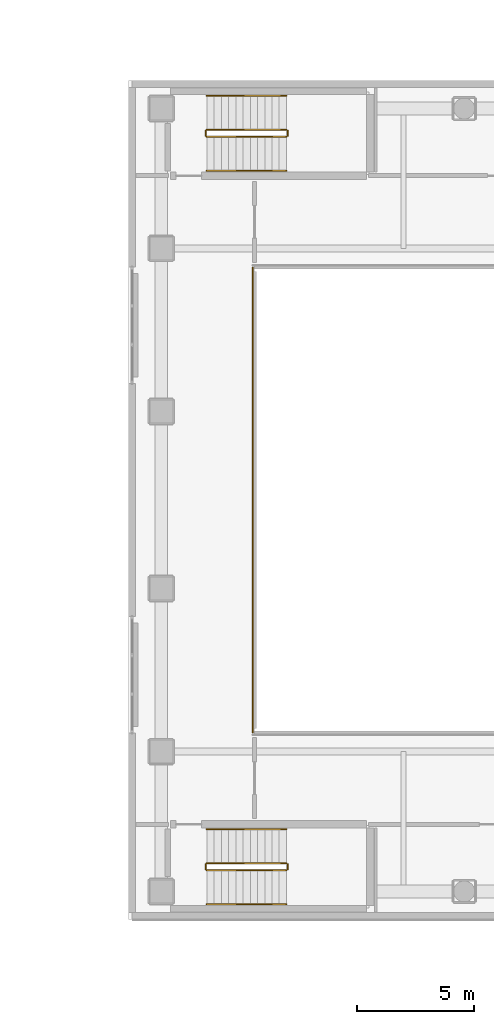
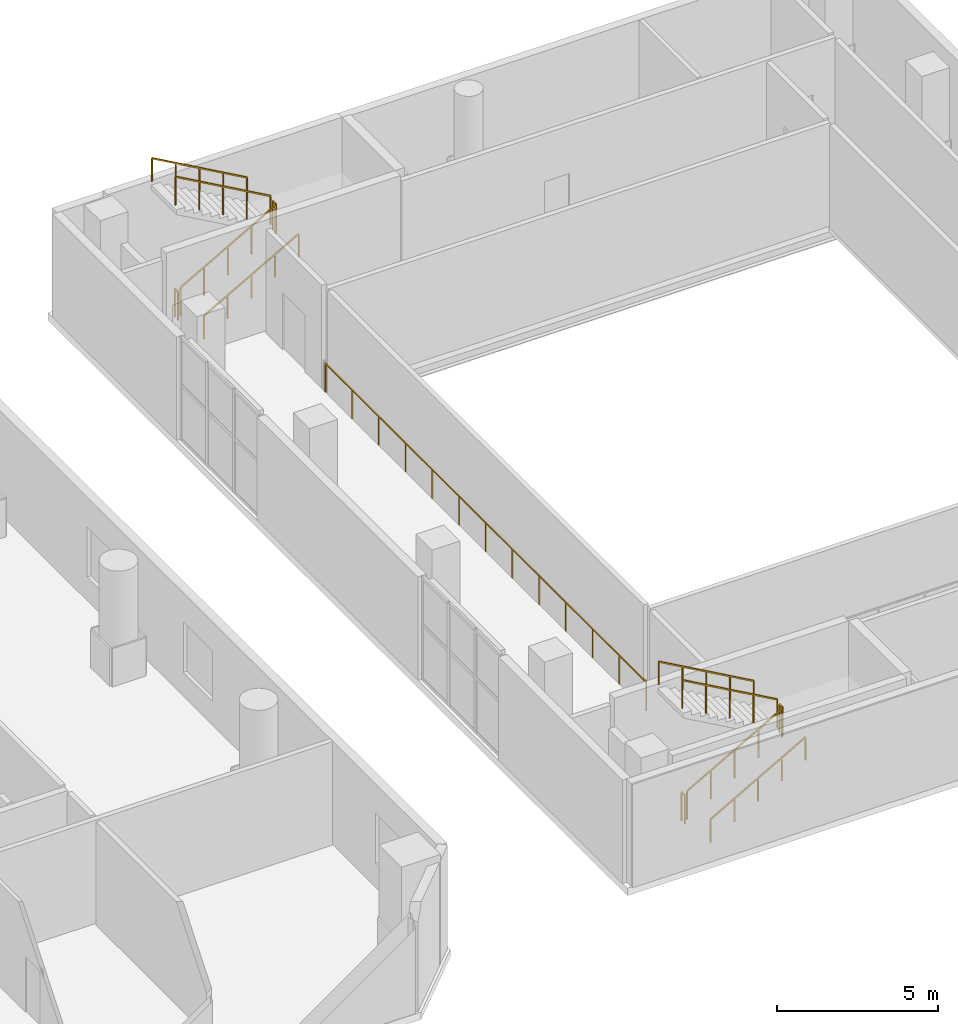
# One storey, part 23 of 24: 13 railings.
"""IFC4 building model written with IfcOpenShell, lengths in metres."""

from ifc_helpers import new_model, si_unit, direction, frame, origin, origin_2d, place, context, subcontext, project, spatial, rectangle, extrude, material, type_object, element, save


model = new_model("IFC4")

# Units and contexts
model_context = context("Model", 3, precision=1e-05, world=origin(), true_north=direction((0.0, 1.0)))
body_context = subcontext(model_context, "Body", "Model", "MODEL_VIEW")
ifc_project = project(units=[si_unit("LENGTHUNIT", "METRE"), si_unit("AREAUNIT", "SQUARE_METRE"), si_unit("VOLUMEUNIT", "CUBIC_METRE"), si_unit("PLANEANGLEUNIT", "RADIAN"), si_unit("MASSUNIT", "GRAM", prefix="KILO")], contexts=[model_context])

# Site, building, storey
site_placement = place(None, origin())
site = spatial("IfcSite", under=ifc_project, at=site_placement, CompositionType="ELEMENT")
building_placement = place(site_placement, origin())
building = spatial("IfcBuilding", under=site, at=building_placement, Name="Solanera Arch Residences", CompositionType="ELEMENT")
storey_placement = place(building_placement, frame((0.0, 0.0, 5.199951171875)))
storey = spatial("IfcBuildingStorey", under=building, at=storey_placement, Name="L01", CompositionType="ELEMENT", Elevation=5.199951171875)

# Railings
ifc_material_1 = material(Name="Steel S355 (ASTM A992 / A572 Grade 50)", Category="steel")
railing_type_1 = type_object("IfcRailingType", Name="Balustrade Railing BL-1100", PredefinedType="BALUSTRADE", material=ifc_material_1)
railing_1_placement = place(storey_placement, frame((59.719970703125, 40.56005859375, 0.0)))
element("IfcRailing", 1, at=railing_1_placement, inside=storey, type_object=railing_type_1, Name="L01 Sports Hall Court Void Guardrail W 1", PredefinedType="BALUSTRADE", context=body_context, shape_type="SweptSolid", body=[
    extrude(rectangle(XDim=0.048095703125, YDim=0.048095703125, at=origin_2d()), frame((0.0, 0.0, 1.09619140625), z_axis=(0.0, -1.0, 0.0), x_axis=(1.0, 0.0, 0.0)), (0.0, 0.0, 1.0), 19.920166015625),
    extrude(rectangle(XDim=0.0419921875, YDim=0.0419921875, at=origin_2d()), origin(), (0.0, 0.0, 1.0), 1.072021484375),
    extrude(rectangle(XDim=0.0419921875, YDim=0.0419921875, at=origin_2d()), frame((0.0, -1.659912109375, 0.0)), (0.0, 0.0, 1.0), 1.072021484375),
    extrude(rectangle(XDim=0.0419921875, YDim=0.0419921875, at=origin_2d()), frame((0.0, -3.320068359375, 0.0)), (0.0, 0.0, 1.0), 1.072021484375),
    extrude(rectangle(XDim=0.0419921875, YDim=0.0419921875, at=origin_2d()), frame((0.0, -4.97998046875, 0.0)), (0.0, 0.0, 1.0), 1.072021484375),
    extrude(rectangle(XDim=0.0419921875, YDim=0.0419921875, at=origin_2d()), frame((0.0, -6.64013671875, 0.0)), (0.0, 0.0, 1.0), 1.072021484375),
    extrude(rectangle(XDim=0.0419921875, YDim=0.0419921875, at=origin_2d()), frame((0.0, -8.300048828125, 0.0)), (0.0, 0.0, 1.0), 1.072021484375),
    extrude(rectangle(XDim=0.0419921875, YDim=0.0419921875, at=origin_2d()), frame((0.0, -9.9599609375, 0.0)), (0.0, 0.0, 1.0), 1.072021484375),
    extrude(rectangle(XDim=0.0419921875, YDim=0.0419921875, at=origin_2d()), frame((0.0, -11.6201171875, 0.0)), (0.0, 0.0, 1.0), 1.072021484375),
    extrude(rectangle(XDim=0.0419921875, YDim=0.0419921875, at=origin_2d()), frame((0.0, -13.280029296875, 0.0)), (0.0, 0.0, 1.0), 1.072021484375),
    extrude(rectangle(XDim=0.0419921875, YDim=0.0419921875, at=origin_2d()), frame((0.0, -14.940185546875, 0.0)), (0.0, 0.0, 1.0), 1.072021484375),
    extrude(rectangle(XDim=0.0419921875, YDim=0.0419921875, at=origin_2d()), frame((0.0, -16.60009765625, 0.0)), (0.0, 0.0, 1.0), 1.072021484375),
    extrude(rectangle(XDim=0.0419921875, YDim=0.0419921875, at=origin_2d()), frame((0.0, -18.26025390625, 0.0)), (0.0, 0.0, 1.0), 1.072021484375),
    extrude(rectangle(XDim=0.0419921875, YDim=0.0419921875, at=origin_2d()), frame((0.0, -19.920166015625, 0.0)), (0.0, 0.0, 1.0), 1.072021484375),
])
ifc_material_2 = material(Name="Steel S355 (ASTM A992 / A572 Grade 50)", Category="steel")
railing_type_2 = type_object("IfcRailingType", Name="Stair Guardrail GR-1100", PredefinedType="GUARDRAIL", material=ifc_material_2)
railing_2_placement = place(storey_placement, frame((57.760009765625, 14.7099609375, 0.16015625)))
element("IfcRailing", 2, at=railing_2_placement, inside=storey, type_object=railing_type_2, Name="L01 ST-H1 stair guard 1", PredefinedType="GUARDRAIL", context=body_context, shape_type="SweptSolid", body=[
    extrude(rectangle(XDim=0.048095703125, YDim=0.048095703125, at=origin_2d()), frame((0.0, 0.0, 1.076171875), z_axis=(0.870840237431, 0.0, 0.491566151064), x_axis=(0.0, 1.0, 0.0)), (0.0, 0.0, 1.0), 3.915771484375),
    extrude(rectangle(XDim=0.0419921875, YDim=0.0419921875, at=origin_2d()), origin(), (0.0, 0.0, 1.0), 1.052001953125),
    extrude(rectangle(XDim=0.0419921875, YDim=0.0419921875, at=origin_2d()), frame((0.8525390625, 0.0, 0.481201171875)), (0.0, 0.0, 1.0), 1.052001953125),
    extrude(rectangle(XDim=0.0419921875, YDim=0.0419921875, at=origin_2d()), frame((1.705078125, 0.0, 0.96240234375)), (0.0, 0.0, 1.0), 1.052001953125),
    extrude(rectangle(XDim=0.0419921875, YDim=0.0419921875, at=origin_2d()), frame((2.557373046875, 0.0, 1.443603515625)), (0.0, 0.0, 1.0), 1.052001953125),
    extrude(rectangle(XDim=0.0419921875, YDim=0.0419921875, at=origin_2d()), frame((3.409912109375, 0.0, 1.9248046875)), (0.0, 0.0, 1.0), 1.052001953125),
])
railing_3_placement = place(storey_placement, frame((61.219970703125, 14.760009765625, 2.0849609375)))
element("IfcRailing", 3, at=railing_3_placement, inside=storey, type_object=railing_type_2, Name="L01 ST-H1 stair guard 2", PredefinedType="GUARDRAIL", context=body_context, shape_type="SweptSolid", body=[
    extrude(rectangle(XDim=0.048095703125, YDim=0.048095703125, at=origin_2d()), frame((0.0, 0.0, 1.076171875), z_axis=(0.0, 1.0, 0.0), x_axis=(-1.0, 0.0, 0.0)), (0.0, 0.0, 1.0), 0.199951171875),
    extrude(rectangle(XDim=0.0419921875, YDim=0.0419921875, at=origin_2d()), origin(), (0.0, 0.0, 1.0), 1.052001953125),
    extrude(rectangle(XDim=0.0419921875, YDim=0.0419921875, at=origin_2d()), frame((0.0, 0.199951171875, 0.0)), (0.0, 0.0, 1.0), 1.052001953125),
])
railing_4_placement = place(storey_placement, frame((61.169921875, 15.010009765625, 2.260009765625)))
element("IfcRailing", 4, at=railing_4_placement, inside=storey, type_object=railing_type_2, Name="L01 ST-H1 stair guard 3", PredefinedType="GUARDRAIL", context=body_context, shape_type="SweptSolid", body=[
    extrude(rectangle(XDim=0.048095703125, YDim=0.048095703125, at=origin_2d()), frame((0.0, 0.0, 1.076171875), z_axis=(-0.87081354652, 0.0, 0.491613432685), x_axis=(0.0, -1.0, 0.0)), (0.0, 0.0, 1.0), 3.915771484375),
    extrude(rectangle(XDim=0.0419921875, YDim=0.0419921875, at=origin_2d()), origin(), (0.0, 0.0, 1.0), 1.052001953125),
    extrude(rectangle(XDim=0.0419921875, YDim=0.0419921875, at=origin_2d()), frame((-0.8525390625, 0.0, 0.481201171875)), (0.0, 0.0, 1.0), 1.052001953125),
    extrude(rectangle(XDim=0.0419921875, YDim=0.0419921875, at=origin_2d()), frame((-1.705078125, 0.0, 0.96240234375)), (0.0, 0.0, 1.0), 1.052001953125),
    extrude(rectangle(XDim=0.0419921875, YDim=0.0419921875, at=origin_2d()), frame((-2.557373046875, 0.0, 1.44384765625)), (0.0, 0.0, 1.0), 1.052001953125),
    extrude(rectangle(XDim=0.0419921875, YDim=0.0419921875, at=origin_2d()), frame((-3.409912109375, 0.0, 1.925048828125)), (0.0, 0.0, 1.0), 1.052001953125),
])
railing_5_placement = place(storey_placement, frame((57.7099609375, 14.760009765625, -0.014892578125)))
element("IfcRailing", 5, at=railing_5_placement, inside=storey, type_object=railing_type_2, Name="L01 ST-H1 stair guard 4", PredefinedType="GUARDRAIL", context=body_context, shape_type="SweptSolid", body=[
    extrude(rectangle(XDim=0.048095703125, YDim=0.048095703125, at=origin_2d()), frame((0.0, 0.0, 1.076171875), z_axis=(0.0, 1.0, 0.0), x_axis=(-1.0, 0.0, 0.0)), (0.0, 0.0, 1.0), 0.199951171875),
    extrude(rectangle(XDim=0.0419921875, YDim=0.0419921875, at=origin_2d()), origin(), (0.0, 0.0, 1.0), 1.052001953125),
    extrude(rectangle(XDim=0.0419921875, YDim=0.0419921875, at=origin_2d()), frame((0.0, 0.199951171875, 0.0)), (0.0, 0.0, 1.0), 1.052001953125),
])
railing_6_placement = place(storey_placement, frame((57.760009765625, 46.18994140625, 0.16015625)))
element("IfcRailing", 6, at=railing_6_placement, inside=storey, type_object=railing_type_2, Name="L01 ST-H2 stair guard 1", PredefinedType="GUARDRAIL", context=body_context, shape_type="SweptSolid", body=[
    extrude(rectangle(XDim=0.048095703125, YDim=0.048095703125, at=origin_2d()), frame((0.0, 0.0, 1.076171875), z_axis=(0.870840237431, 0.0, 0.491566151064), x_axis=(0.0, 1.0, 0.0)), (0.0, 0.0, 1.0), 3.915771484375),
    extrude(rectangle(XDim=0.0419921875, YDim=0.0419921875, at=origin_2d()), origin(), (0.0, 0.0, 1.0), 1.052001953125),
    extrude(rectangle(XDim=0.0419921875, YDim=0.0419921875, at=origin_2d()), frame((0.8525390625, 0.0, 0.481201171875)), (0.0, 0.0, 1.0), 1.052001953125),
    extrude(rectangle(XDim=0.0419921875, YDim=0.0419921875, at=origin_2d()), frame((1.705078125, 0.0, 0.96240234375)), (0.0, 0.0, 1.0), 1.052001953125),
    extrude(rectangle(XDim=0.0419921875, YDim=0.0419921875, at=origin_2d()), frame((2.557373046875, 0.0, 1.443603515625)), (0.0, 0.0, 1.0), 1.052001953125),
    extrude(rectangle(XDim=0.0419921875, YDim=0.0419921875, at=origin_2d()), frame((3.409912109375, 0.0, 1.9248046875)), (0.0, 0.0, 1.0), 1.052001953125),
])
railing_7_placement = place(storey_placement, frame((61.219970703125, 46.239990234375, 2.0849609375)))
element("IfcRailing", 7, at=railing_7_placement, inside=storey, type_object=railing_type_2, Name="L01 ST-H2 stair guard 2", PredefinedType="GUARDRAIL", context=body_context, shape_type="SweptSolid", body=[
    extrude(rectangle(XDim=0.048095703125, YDim=0.048095703125, at=origin_2d()), frame((0.0, 0.0, 1.076171875), z_axis=(0.0, 1.0, 0.0), x_axis=(-1.0, 0.0, 0.0)), (0.0, 0.0, 1.0), 0.199951171875),
    extrude(rectangle(XDim=0.0419921875, YDim=0.0419921875, at=origin_2d()), origin(), (0.0, 0.0, 1.0), 1.052001953125),
    extrude(rectangle(XDim=0.0419921875, YDim=0.0419921875, at=origin_2d()), frame((0.0, 0.199951171875, 0.0)), (0.0, 0.0, 1.0), 1.052001953125),
])
railing_8_placement = place(storey_placement, frame((61.169921875, 46.489990234375, 2.260009765625)))
element("IfcRailing", 8, at=railing_8_placement, inside=storey, type_object=railing_type_2, Name="L01 ST-H2 stair guard 3", PredefinedType="GUARDRAIL", context=body_context, shape_type="SweptSolid", body=[
    extrude(rectangle(XDim=0.048095703125, YDim=0.048095703125, at=origin_2d()), frame((0.0, 0.0, 1.076171875), z_axis=(-0.87081354652, 0.0, 0.491613432685), x_axis=(0.0, -1.0, 0.0)), (0.0, 0.0, 1.0), 3.915771484375),
    extrude(rectangle(XDim=0.0419921875, YDim=0.0419921875, at=origin_2d()), origin(), (0.0, 0.0, 1.0), 1.052001953125),
    extrude(rectangle(XDim=0.0419921875, YDim=0.0419921875, at=origin_2d()), frame((-0.8525390625, 0.0, 0.481201171875)), (0.0, 0.0, 1.0), 1.052001953125),
    extrude(rectangle(XDim=0.0419921875, YDim=0.0419921875, at=origin_2d()), frame((-1.705078125, 0.0, 0.96240234375)), (0.0, 0.0, 1.0), 1.052001953125),
    extrude(rectangle(XDim=0.0419921875, YDim=0.0419921875, at=origin_2d()), frame((-2.557373046875, 0.0, 1.44384765625)), (0.0, 0.0, 1.0), 1.052001953125),
    extrude(rectangle(XDim=0.0419921875, YDim=0.0419921875, at=origin_2d()), frame((-3.409912109375, 0.0, 1.925048828125)), (0.0, 0.0, 1.0), 1.052001953125),
])
railing_9_placement = place(storey_placement, frame((57.7099609375, 46.239990234375, -0.014892578125)))
element("IfcRailing", 9, at=railing_9_placement, inside=storey, type_object=railing_type_2, Name="L01 ST-H2 stair guard 4", PredefinedType="GUARDRAIL", context=body_context, shape_type="SweptSolid", body=[
    extrude(rectangle(XDim=0.048095703125, YDim=0.048095703125, at=origin_2d()), frame((0.0, 0.0, 1.076171875), z_axis=(0.0, 1.0, 0.0), x_axis=(-1.0, 0.0, 0.0)), (0.0, 0.0, 1.0), 0.199951171875),
    extrude(rectangle(XDim=0.0419921875, YDim=0.0419921875, at=origin_2d()), origin(), (0.0, 0.0, 1.0), 1.052001953125),
    extrude(rectangle(XDim=0.0419921875, YDim=0.0419921875, at=origin_2d()), frame((0.0, 0.199951171875, 0.0)), (0.0, 0.0, 1.0), 1.052001953125),
])
ifc_material_3 = material(Name="Steel S355 (ASTM A992 / A572 Grade 50)", Category="steel")
railing_type_3 = type_object("IfcRailingType", Name="Stair Wall Handrail HR-920", PredefinedType="HANDRAIL", material=ifc_material_3)
railing_10_placement = place(storey_placement, frame((57.760009765625, 13.25, 0.175048828125)))
element("IfcRailing", 10, at=railing_10_placement, inside=storey, type_object=railing_type_3, Name="L01 ST-H1 stair handrail 1", PredefinedType="HANDRAIL", context=body_context, shape_type="SweptSolid", body=[
    extrude(rectangle(XDim=0.048095703125, YDim=0.048095703125, at=origin_2d()), frame((0.0, 0.0, 0.8759765625), z_axis=(0.87081354652, 0.0, 0.491613432685), x_axis=(0.0, 1.0, 0.0)), (0.0, 0.0, 1.0), 3.915771484375),
    extrude(rectangle(XDim=0.0419921875, YDim=0.0419921875, at=origin_2d()), origin(), (0.0, 0.0, 1.0), 0.851806640625),
    extrude(rectangle(XDim=0.0419921875, YDim=0.0419921875, at=origin_2d()), frame((0.8525390625, 0.0, 0.481201171875)), (0.0, 0.0, 1.0), 0.851806640625),
    extrude(rectangle(XDim=0.0419921875, YDim=0.0419921875, at=origin_2d()), frame((1.705078125, 0.0, 0.96240234375)), (0.0, 0.0, 1.0), 0.851806640625),
    extrude(rectangle(XDim=0.0419921875, YDim=0.0419921875, at=origin_2d()), frame((2.557373046875, 0.0, 1.44384765625)), (0.0, 0.0, 1.0), 0.851806640625),
    extrude(rectangle(XDim=0.0419921875, YDim=0.0419921875, at=origin_2d()), frame((3.409912109375, 0.0, 1.925048828125)), (0.0, 0.0, 1.0), 0.851806640625),
])
railing_11_placement = place(storey_placement, frame((61.169921875, 16.469970703125, 2.275146484375)))
element("IfcRailing", 11, at=railing_11_placement, inside=storey, type_object=railing_type_3, Name="L01 ST-H1 stair handrail 2", PredefinedType="HANDRAIL", context=body_context, shape_type="SweptSolid", body=[
    extrude(rectangle(XDim=0.048095703125, YDim=0.048095703125, at=origin_2d()), frame((0.0, 0.0, 0.8759765625), z_axis=(-0.870840237431, 0.0, 0.491566151064), x_axis=(0.0, -1.0, 0.0)), (0.0, 0.0, 1.0), 3.915771484375),
    extrude(rectangle(XDim=0.0419921875, YDim=0.0419921875, at=origin_2d()), origin(), (0.0, 0.0, 1.0), 0.851806640625),
    extrude(rectangle(XDim=0.0419921875, YDim=0.0419921875, at=origin_2d()), frame((-0.8525390625, 0.0, 0.481201171875)), (0.0, 0.0, 1.0), 0.851806640625),
    extrude(rectangle(XDim=0.0419921875, YDim=0.0419921875, at=origin_2d()), frame((-1.705078125, 0.0, 0.96240234375)), (0.0, 0.0, 1.0), 0.851806640625),
    extrude(rectangle(XDim=0.0419921875, YDim=0.0419921875, at=origin_2d()), frame((-2.557373046875, 0.0, 1.443603515625)), (0.0, 0.0, 1.0), 0.851806640625),
    extrude(rectangle(XDim=0.0419921875, YDim=0.0419921875, at=origin_2d()), frame((-3.409912109375, 0.0, 1.9248046875)), (0.0, 0.0, 1.0), 0.851806640625),
])
railing_12_placement = place(storey_placement, frame((57.760009765625, 44.72998046875, 0.175048828125)))
element("IfcRailing", 12, at=railing_12_placement, inside=storey, type_object=railing_type_3, Name="L01 ST-H2 stair handrail 1", PredefinedType="HANDRAIL", context=body_context, shape_type="SweptSolid", body=[
    extrude(rectangle(XDim=0.048095703125, YDim=0.048095703125, at=origin_2d()), frame((0.0, 0.0, 0.8759765625), z_axis=(0.87081354652, 0.0, 0.491613432685), x_axis=(0.0, 1.0, 0.0)), (0.0, 0.0, 1.0), 3.915771484375),
    extrude(rectangle(XDim=0.0419921875, YDim=0.0419921875, at=origin_2d()), origin(), (0.0, 0.0, 1.0), 0.851806640625),
    extrude(rectangle(XDim=0.0419921875, YDim=0.0419921875, at=origin_2d()), frame((0.8525390625, 0.0, 0.481201171875)), (0.0, 0.0, 1.0), 0.851806640625),
    extrude(rectangle(XDim=0.0419921875, YDim=0.0419921875, at=origin_2d()), frame((1.705078125, 0.0, 0.96240234375)), (0.0, 0.0, 1.0), 0.851806640625),
    extrude(rectangle(XDim=0.0419921875, YDim=0.0419921875, at=origin_2d()), frame((2.557373046875, 0.0, 1.44384765625)), (0.0, 0.0, 1.0), 0.851806640625),
    extrude(rectangle(XDim=0.0419921875, YDim=0.0419921875, at=origin_2d()), frame((3.409912109375, 0.0, 1.925048828125)), (0.0, 0.0, 1.0), 0.851806640625),
])
railing_13_placement = place(storey_placement, frame((61.169921875, 47.949951171875, 2.275146484375)))
element("IfcRailing", 13, at=railing_13_placement, inside=storey, type_object=railing_type_3, Name="L01 ST-H2 stair handrail 2", PredefinedType="HANDRAIL", context=body_context, shape_type="SweptSolid", body=[
    extrude(rectangle(XDim=0.048095703125, YDim=0.048095703125, at=origin_2d()), frame((0.0, 0.0, 0.8759765625), z_axis=(-0.870840237431, 0.0, 0.491566151064), x_axis=(0.0, -1.0, 0.0)), (0.0, 0.0, 1.0), 3.915771484375),
    extrude(rectangle(XDim=0.0419921875, YDim=0.0419921875, at=origin_2d()), origin(), (0.0, 0.0, 1.0), 0.851806640625),
    extrude(rectangle(XDim=0.0419921875, YDim=0.0419921875, at=origin_2d()), frame((-0.8525390625, 0.0, 0.481201171875)), (0.0, 0.0, 1.0), 0.851806640625),
    extrude(rectangle(XDim=0.0419921875, YDim=0.0419921875, at=origin_2d()), frame((-1.705078125, 0.0, 0.96240234375)), (0.0, 0.0, 1.0), 0.851806640625),
    extrude(rectangle(XDim=0.0419921875, YDim=0.0419921875, at=origin_2d()), frame((-2.557373046875, 0.0, 1.443603515625)), (0.0, 0.0, 1.0), 0.851806640625),
    extrude(rectangle(XDim=0.0419921875, YDim=0.0419921875, at=origin_2d()), frame((-3.409912109375, 0.0, 1.9248046875)), (0.0, 0.0, 1.0), 0.851806640625),
])

save(model, "model.ifc")
